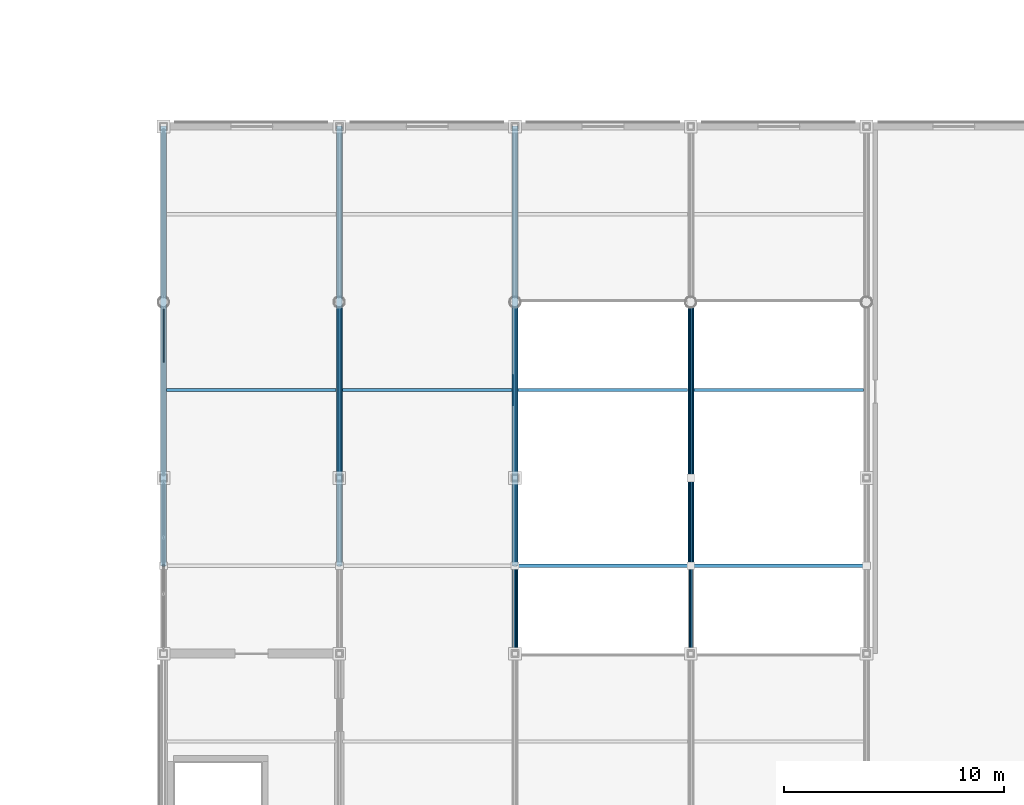
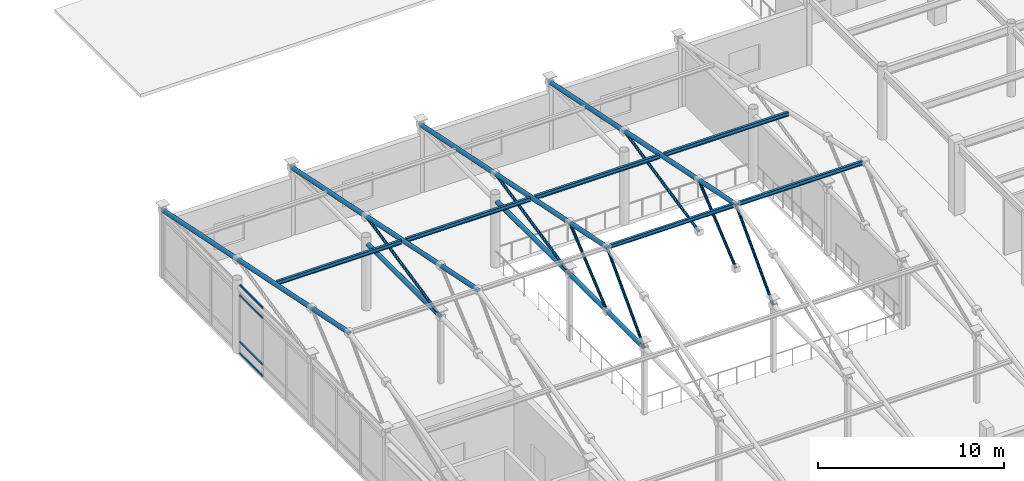
# One storey, part 27 of 117: 24 members, 1 element without a shape of its own.
"""IFC4 building model written with IfcOpenShell, lengths in metres."""

from ifc_helpers import new_model, si_unit, direction, frame, origin, origin_2d, place, context, subcontext, project, spatial, hollow_rectangle, hollow_circle, i_section, extrude, material, material_profile, profile_set, type_object, element, aggregate, save


model = new_model("IFC4")

# Units and contexts
model_context = context("Model", 3, precision=1e-05, world=origin(), true_north=direction((0.0, 1.0)))
body_context = subcontext(model_context, "Body", "Model", "MODEL_VIEW")
ifc_project = project(units=[si_unit("LENGTHUNIT", "METRE"), si_unit("AREAUNIT", "SQUARE_METRE"), si_unit("VOLUMEUNIT", "CUBIC_METRE"), si_unit("PLANEANGLEUNIT", "RADIAN"), si_unit("MASSUNIT", "GRAM", prefix="KILO")], contexts=[model_context])

# Site, building, storey
site_placement = place(None, origin())
site = spatial("IfcSite", under=ifc_project, at=site_placement, CompositionType="ELEMENT")
building_placement = place(site_placement, origin())
building = spatial("IfcBuilding", under=site, at=building_placement, Name="Solmirada Galleria", CompositionType="ELEMENT")
storey_placement = place(building_placement, frame((0.0, 0.0, 5.60009765625)))
storey = spatial("IfcBuildingStorey", under=building, at=storey_placement, Name="L01", CompositionType="ELEMENT", Elevation=5.60009765625)

# Curtain wall, members
ifc_material_1 = material(Name="Impact-resistant low-E double glazing", Category="glass")
curtain_wall_type = type_object("IfcCurtainWallType", Name="CW-FZ1-L01-B3-L076", PredefinedType="NOTDEFINED", material=ifc_material_1)
curtain_wall_placement = place(storey_placement, origin())
curtain_wall = element("IfcCurtainWall", 1, at=curtain_wall_placement, inside=storey, type_object=curtain_wall_type, Name="Terrace and arcade storefront CW-L01-081", PredefinedType="NOTDEFINED")
ifc_material_2 = material(Name="Anodised aluminium framing", Category="aluminium")
ifc_material_profile_1 = material_profile(ifc_material_2, hollow_rectangle(XDim=0.06494140625, YDim=0.139892578125, WallThickness=0.00341796875, InnerFilletRadius=0.00341796875, OuterFilletRadius=0.007080078125, at=origin_2d()), Name="ALU-TRAN-140X65")
ifc_profile_set_1 = profile_set([ifc_material_profile_1], Name="Anodised aluminium framing")
member_type_1 = type_object("IfcMemberType", Name="CW-TRAN-140", PredefinedType="USERDEFINED", material=ifc_profile_set_1)
member_1_placement = place(storey_placement, frame((40.0, 29.24658203125, 0.032470703125), z_axis=(0.0, 1.0, 0.0), x_axis=(-1.0, 0.0, 0.0)))
member_1 = element("IfcMember", 2, at=member_1_placement, type_object=member_type_1, Name="CW20 transom 3.1", ObjectType="TRANSOM", PredefinedType="USERDEFINED", context=body_context, shape_type="SweptSolid", body=[
    extrude(hollow_rectangle(XDim=0.06494140625, YDim=0.139892578125, WallThickness=0.00341796875, InnerFilletRadius=0.00341796875, OuterFilletRadius=0.007080078125, at=origin_2d()), origin(), (0.0, 0.0, 1.0), 2.432373046875),
])
member_2_placement = place(storey_placement, frame((40.0, 29.24658203125, 0.77978515625), z_axis=(0.0, 1.0, 0.0), x_axis=(-1.0, 0.0, 0.0)))
member_2 = element("IfcMember", 3, at=member_2_placement, type_object=member_type_1, Name="CW20 transom 3.2", ObjectType="TRANSOM", PredefinedType="USERDEFINED", context=body_context, shape_type="SweptSolid", body=[
    extrude(hollow_rectangle(XDim=0.06494140625, YDim=0.139892578125, WallThickness=0.00341796875, InnerFilletRadius=0.00341796875, OuterFilletRadius=0.007080078125, at=origin_2d()), origin(), (0.0, 0.0, 1.0), 2.432373046875),
])
member_3_placement = place(storey_placement, frame((40.0, 29.24658203125, 3.829833984375), z_axis=(0.0, 1.0, 0.0), x_axis=(-1.0, 0.0, 0.0)))
member_3 = element("IfcMember", 4, at=member_3_placement, type_object=member_type_1, Name="CW20 transom 3.3", ObjectType="TRANSOM", PredefinedType="USERDEFINED", context=body_context, shape_type="SweptSolid", body=[
    extrude(hollow_rectangle(XDim=0.06494140625, YDim=0.139892578125, WallThickness=0.00341796875, InnerFilletRadius=0.00341796875, OuterFilletRadius=0.007080078125, at=origin_2d()), origin(), (0.0, 0.0, 1.0), 2.432373046875),
])
member_4_placement = place(storey_placement, frame((40.0, 29.24658203125, 4.4873046875), z_axis=(0.0, 1.0, 0.0), x_axis=(-1.0, 0.0, 0.0)))
member_4 = element("IfcMember", 5, at=member_4_placement, type_object=member_type_1, Name="CW20 transom 3.4", ObjectType="TRANSOM", PredefinedType="USERDEFINED", context=body_context, shape_type="SweptSolid", body=[
    extrude(hollow_rectangle(XDim=0.06494140625, YDim=0.139892578125, WallThickness=0.00341796875, InnerFilletRadius=0.00341796875, OuterFilletRadius=0.007080078125, at=origin_2d()), origin(), (0.0, 0.0, 1.0), 2.432373046875),
])
aggregate(curtain_wall, [member_1, member_2, member_3, member_4])

# Members
ifc_material_3 = material(Name="Steel S355 / ASTM A500 Grade C", Category="steel")
ifc_material_profile_2 = material_profile(ifc_material_3, hollow_circle(Radius=0.136474609375, WallThickness=0.0087890625, at=origin_2d()), Name="HSS10.750X0.375")
ifc_profile_set_2 = profile_set([ifc_material_profile_2], Name="Steel S355 / ASTM A500 Grade C")
member_type_2 = type_object("IfcMemberType", Name="MEM-FH-CHORD", PredefinedType="CHORD", material=ifc_profile_set_2)
member_5_placement = place(storey_placement, frame((40.0, 20.0, 8.47998046875), z_axis=(0.0, 0.979626474639, -0.200828210633), x_axis=(-1.0, 0.0, 0.0)))
element("IfcMember", 6, at=member_5_placement, inside=storey, type_object=member_type_2, Name="Food Hall truss north top chord X=40", PredefinedType="CHORD", context=body_context, shape_type="SweptSolid", body=[
    extrude(hollow_circle(Radius=0.136474609375, WallThickness=0.0087890625, at=origin_2d()), origin(), (0.0, 0.0, 1.0), 20.416015625),
])
member_6_placement = place(storey_placement, frame((48.0, 24.126953125, 4.2998046875), z_axis=(0.0, 1.0, 0.0), x_axis=(-1.0, 0.0, 0.0)))
element("IfcMember", 7, at=member_6_placement, inside=storey, type_object=member_type_2, Name="Food Hall truss bottom chord X=48", PredefinedType="CHORD", context=body_context, shape_type="SweptSolid", body=[
    extrude(hollow_circle(Radius=0.136474609375, WallThickness=0.0087890625, at=origin_2d()), origin(), (0.0, 0.0, 1.0), 7.65966796875),
])
member_7_placement = place(storey_placement, frame((48.0, 20.0, 8.47998046875), z_axis=(0.0, 0.979626474639, -0.200828210633), x_axis=(-1.0, 0.0, 0.0)))
element("IfcMember", 8, at=member_7_placement, inside=storey, type_object=member_type_2, Name="Food Hall truss north top chord X=48", PredefinedType="CHORD", context=body_context, shape_type="SweptSolid", body=[
    extrude(hollow_circle(Radius=0.136474609375, WallThickness=0.0087890625, at=origin_2d()), origin(), (0.0, 0.0, 1.0), 20.416015625),
])
member_8_placement = place(storey_placement, frame((56.0, 16.126953125, 4.2998046875), z_axis=(0.0, 1.0, 0.0), x_axis=(-1.0, 0.0, 0.0)))
element("IfcMember", 9, at=member_8_placement, inside=storey, type_object=member_type_2, Name="Food Hall truss bottom chord X=56", PredefinedType="CHORD", context=body_context, shape_type="SweptSolid", body=[
    extrude(hollow_circle(Radius=0.136474609375, WallThickness=0.0087890625, at=origin_2d()), origin(), (0.0, 0.0, 1.0), 7.74609375),
])
member_9_placement = place(storey_placement, frame((56.0, 24.126953125, 4.2998046875), z_axis=(0.0, 1.0, 0.0), x_axis=(-1.0, 0.0, 0.0)))
element("IfcMember", 10, at=member_9_placement, inside=storey, type_object=member_type_2, Name="Food Hall truss bottom chord X=56", PredefinedType="CHORD", context=body_context, shape_type="SweptSolid", body=[
    extrude(hollow_circle(Radius=0.136474609375, WallThickness=0.0087890625, at=origin_2d()), origin(), (0.0, 0.0, 1.0), 7.65966796875),
])
for number, where, z_axis, x_axis, name in (
    (11, (56.0, 20.0, 8.47998046875), (0.0, 0.979626474639, -0.200828210633), (-1.0, 0.0, 0.0), "Food Hall truss north top chord X=56"),
    (12, (64.0, 20.0, 8.47998046875), (0.0, 0.979626474639, -0.200828210633), (-1.0, 0.0, 0.0), "Food Hall truss north top chord X=64"),
):
    element("IfcMember", number, at=place(storey_placement, frame(where, z_axis=z_axis, x_axis=x_axis)), inside=storey, type_object=member_type_2, Name=name, PredefinedType="CHORD", context=body_context, shape_type="SweptSolid", body=[
        extrude(hollow_circle(Radius=0.136474609375, WallThickness=0.0087890625, at=origin_2d()), origin(), (0.0, 0.0, 1.0), 20.416015625),
    ])
ifc_material_profile_3 = material_profile(ifc_material_3, hollow_circle(Radius=0.083984375, WallThickness=0.006591796875, at=origin_2d()), Name="HSS6.625X0.280")
ifc_profile_set_3 = profile_set([ifc_material_profile_3], Name="Steel S355 / ASTM A500 Grade C")
member_type_3 = type_object("IfcMemberType", Name="MEM-FH-WEB", PredefinedType="BRACE", material=ifc_profile_set_3)
member_10_placement = place(storey_placement, frame((48.0, 24.0, 4.2998046875), z_axis=(0.0, 0.977653718245, 0.210221804772), x_axis=(-1.0, 0.0, 0.0)))
element("IfcMember", 13, at=member_10_placement, inside=storey, type_object=member_type_3, Name="Food Hall truss web diagonal X=48", PredefinedType="BRACE", context=body_context, shape_type="SweptSolid", body=[
    extrude(hollow_circle(Radius=0.083984375, WallThickness=0.006591796875, at=origin_2d()), origin(), (0.0, 0.0, 1.0), 8.182861328125),
])
member_11_placement = place(storey_placement, frame((56.0, 16.0, 4.2998046875), z_axis=(0.0, 0.691364429711, 0.722506211274), x_axis=(-1.0, 0.0, 0.0)))
element("IfcMember", 14, at=member_11_placement, inside=storey, type_object=member_type_3, Name="Food Hall truss web diagonal X=56", PredefinedType="BRACE", context=body_context, shape_type="SweptSolid", body=[
    extrude(hollow_circle(Radius=0.083984375, WallThickness=0.006591796875, at=origin_2d()), origin(), (0.0, 0.0, 1.0), 5.78564453125),
])
member_12_placement = place(storey_placement, frame((56.0, 20.0, 4.2998046875), z_axis=(0.0, 0.765694737469, 0.643204142565), x_axis=(-1.0, 0.0, 0.0)))
element("IfcMember", 15, at=member_12_placement, inside=storey, type_object=member_type_3, Name="Food Hall truss web diagonal X=56", PredefinedType="BRACE", context=body_context, shape_type="SweptSolid", body=[
    extrude(hollow_circle(Radius=0.083984375, WallThickness=0.006591796875, at=origin_2d()), origin(), (0.0, 0.0, 1.0), 5.22412109375),
])
member_13_placement = place(storey_placement, frame((56.0, 24.0, 4.2998046875), z_axis=(0.0, 0.977653718245, 0.210221804772), x_axis=(-1.0, 0.0, 0.0)))
element("IfcMember", 16, at=member_13_placement, inside=storey, type_object=member_type_3, Name="Food Hall truss web diagonal X=56", PredefinedType="BRACE", context=body_context, shape_type="SweptSolid", body=[
    extrude(hollow_circle(Radius=0.083984375, WallThickness=0.006591796875, at=origin_2d()), origin(), (0.0, 0.0, 1.0), 8.182861328125),
])
member_14_placement = place(storey_placement, frame((64.0, 16.0, 4.2998046875), z_axis=(0.0, 0.691364429711, 0.722506211274), x_axis=(-1.0, 0.0, 0.0)))
element("IfcMember", 17, at=member_14_placement, inside=storey, type_object=member_type_3, Name="Food Hall truss web diagonal X=64", PredefinedType="BRACE", context=body_context, shape_type="SweptSolid", body=[
    extrude(hollow_circle(Radius=0.083984375, WallThickness=0.006591796875, at=origin_2d()), origin(), (0.0, 0.0, 1.0), 5.78564453125),
])
member_15_placement = place(storey_placement, frame((64.0, 20.0, 4.2998046875), z_axis=(0.0, 0.765694737469, 0.643204142565), x_axis=(-1.0, 0.0, 0.0)))
element("IfcMember", 18, at=member_15_placement, inside=storey, type_object=member_type_3, Name="Food Hall truss web diagonal X=64", PredefinedType="BRACE", context=body_context, shape_type="SweptSolid", body=[
    extrude(hollow_circle(Radius=0.083984375, WallThickness=0.006591796875, at=origin_2d()), origin(), (0.0, 0.0, 1.0), 5.22412109375),
])
member_16_placement = place(storey_placement, frame((64.0, 24.0, 4.2998046875), z_axis=(0.0, 0.977653718245, 0.210221804772), x_axis=(-1.0, 0.0, 0.0)))
element("IfcMember", 19, at=member_16_placement, inside=storey, type_object=member_type_3, Name="Food Hall truss web diagonal X=64", PredefinedType="BRACE", context=body_context, shape_type="SweptSolid", body=[
    extrude(hollow_circle(Radius=0.083984375, WallThickness=0.006591796875, at=origin_2d()), origin(), (0.0, 0.0, 1.0), 8.182861328125),
])
ifc_material_4 = material(Name="Steel S355 / ASTM A992 Grade 50", Category="steel")
ifc_material_profile_4 = material_profile(ifc_material_4, i_section(OverallWidth=0.14599609375, OverallDepth=0.258056640625, WebThickness=0.006103515625, FlangeThickness=0.009033203125, FilletRadius=0.009033203125, at=origin_2d()), Name="W10X22")
ifc_profile_set_4 = profile_set([ifc_material_profile_4], Name="Steel S355 / ASTM A992 Grade 50")
member_type_4 = type_object("IfcMemberType", Name="MEM-ROOF-PURL", PredefinedType="PURLIN", material=ifc_profile_set_4)
for number, where, z_axis, x_axis, name in (
    (20, (56.139892578125, 20.0, 8.47998046875), (1.0, 0.0, 0.0), (0.0, 1.0, 0.0), "Food Hall roof purlin Y=20"),
    (21, (64.139892578125, 20.0, 8.47998046875), (1.0, 0.0, 0.0), (0.0, 1.0, 0.0), "Food Hall roof purlin Y=20"),
    (22, (40.139892578125, 28.0, 6.83984375), (1.0, 0.0, 0.0), (0.0, 1.0, 0.0), "Food Hall roof purlin Y=28"),
    (23, (48.139892578125, 28.0, 6.83984375), (1.0, 0.0, 0.0), (0.0, 1.0, 0.0), "Food Hall roof purlin Y=28"),
    (24, (56.139892578125, 28.0, 6.83984375), (1.0, 0.0, 0.0), (0.0, 1.0, 0.0), "Food Hall roof purlin Y=28"),
    (25, (64.139892578125, 28.0, 6.83984375), (1.0, 0.0, 0.0), (0.0, 1.0, 0.0), "Food Hall roof purlin Y=28"),
):
    element("IfcMember", number, at=place(storey_placement, frame(where, z_axis=z_axis, x_axis=x_axis)), inside=storey, type_object=member_type_4, Name=name, PredefinedType="PURLIN", context=body_context, shape_type="SweptSolid", body=[
        extrude(i_section(OverallWidth=0.14599609375, OverallDepth=0.258056640625, WebThickness=0.006103515625, FlangeThickness=0.009033203125, FilletRadius=0.009033203125, at=origin_2d()), origin(), (0.0, 0.0, 1.0), 7.72021484375),
    ])

save(model, "model.ifc")
